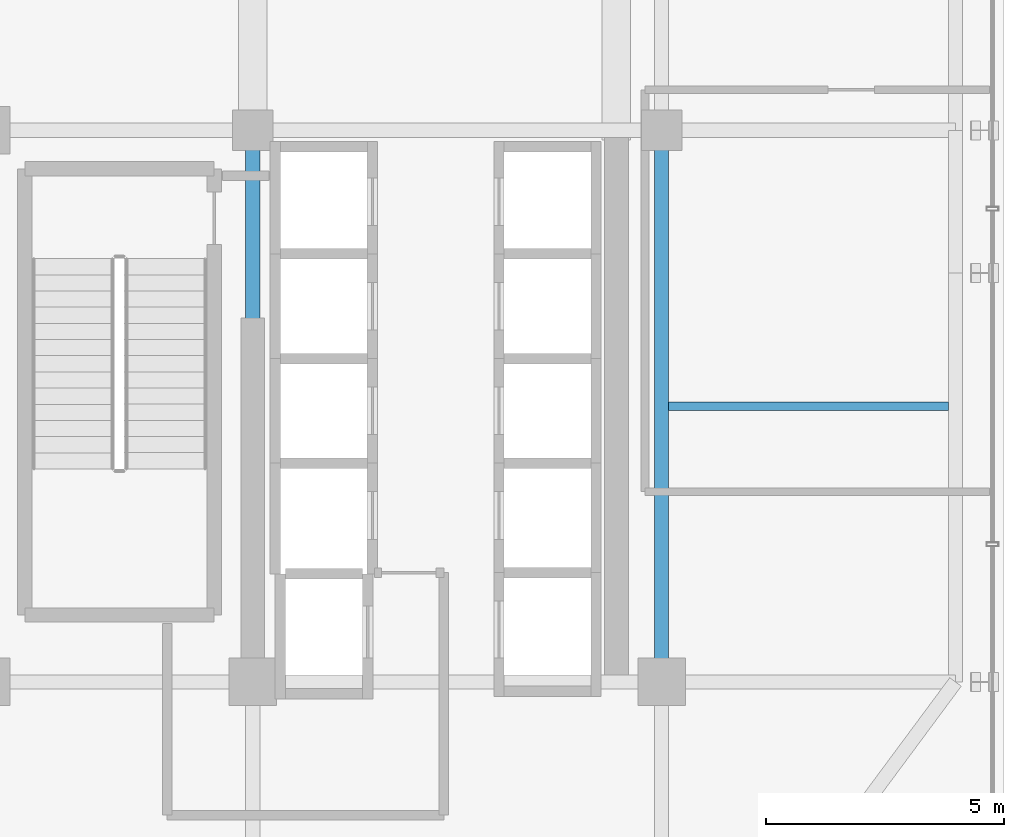
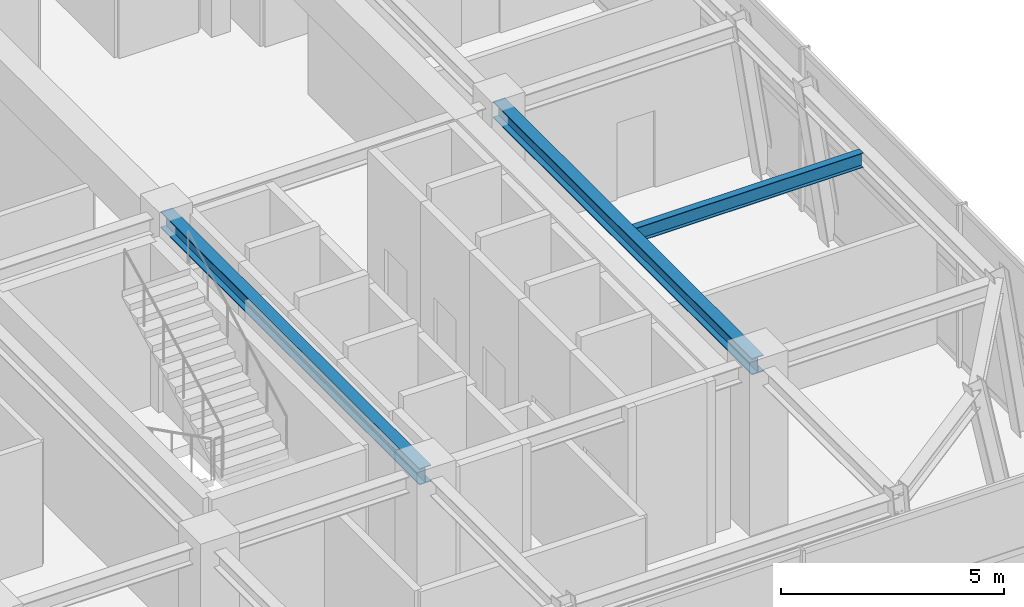
# One storey, part 9 of 28: 3 beams.
"""IFC4 building model written with IfcOpenShell, lengths in metres."""

import ifcopenshell
import ifcopenshell.guid

model = None  # the IFC model being written
_history = None  # IfcOwnerHistory: only IFC2X3 demands one
_inside = {}  # id of a spatial element -> (the spatial element, [elements in it])
_under = {}  # id of a project, library or spatial element -> (it, [spatial elements below it])
_declared = {}  # id of a project -> (the project, [libraries it declares])
_typed = {}  # id of a type object -> (the type object, [elements of that type])
_made_of = {}  # id of a material, layer set ... -> (it, [elements and type objects made of it])


def new_model(schema):
    """Start an empty IFC model of exactly this schema.

    Asked for "IFC4X3", IfcOpenShell would pick the latest addendum, in which some entities
    have other attributes; the version numbers below select the first issue.
    IFC2X3 requires an IfcOwnerHistory on every rooted entity: one is made here for all.
    """
    global model, _history
    if schema == "IFC4X3":
        model = ifcopenshell.file(schema_version=(4, 3, 0, 0))
    else:
        model = ifcopenshell.file(schema=schema)
    _inside.clear()
    _under.clear()
    _declared.clear()
    _typed.clear()
    _made_of.clear()
    _history = None
    if model.schema == "IFC2X3":
        org = make("IfcOrganization", Name="unknown")
        user = make(
            "IfcPersonAndOrganization",
            ThePerson=make("IfcPerson", FamilyName="unknown"),
            TheOrganization=org,
        )
        app = make(
            "IfcApplication",
            ApplicationDeveloper=org,
            Version="unknown",
            ApplicationFullName="unknown",
            ApplicationIdentifier="unknown",
        )
        _history = make(
            "IfcOwnerHistory",
            OwningUser=user,
            OwningApplication=app,
            ChangeAction="ADDED",
            CreationDate=0,
        )
    return model


def make(cls, **values):
    """One entity of the class cls with the attributes given. An attribute that is None is left unset."""
    return model.create_entity(
        cls, **{name: value for name, value in values.items() if value is not None}
    )


def rooted(cls, **values):
    """An entity with a GlobalId (a new one), such as an element, a storey or a relation."""
    return make(cls, GlobalId=ifcopenshell.guid.new(), OwnerHistory=_history, **values)


def si_unit(unit_type, name, prefix=None):
    """IfcSIUnit, for example si_unit("LENGTHUNIT", "METRE", prefix="MILLI")."""
    return make("IfcSIUnit", UnitType=unit_type, Prefix=prefix, Name=name)


def assignment(units):
    """IfcUnitAssignment: the units of a project."""
    return None if units is None else make("IfcUnitAssignment", Units=units)


def point(xyz):
    """IfcCartesianPoint."""
    return None if xyz is None else make("IfcCartesianPoint", Coordinates=xyz)


def direction(xyz):
    """IfcDirection."""
    return None if xyz is None else make("IfcDirection", DirectionRatios=xyz)


def frame(location, z_axis=None, x_axis=None):
    """IfcAxis2Placement3D, a coordinate frame: its origin and axes. An axis left out is left unset."""
    return make(
        "IfcAxis2Placement3D",
        Location=point(location),
        Axis=direction(z_axis),
        RefDirection=direction(x_axis),
    )


def frame_2d(location, x_axis=None):
    """IfcAxis2Placement2D, a coordinate frame in the plane: its origin and x axis."""
    return make(
        "IfcAxis2Placement2D", Location=point(location), RefDirection=direction(x_axis)
    )


def origin():
    """The frame at (0, 0, 0) with its axes left unset."""
    return frame((0.0, 0.0, 0.0))


def origin_2d():
    """The frame at (0, 0) in the plane with its x axis left unset."""
    return frame_2d((0.0, 0.0))


def place(relative_to, where):
    """IfcLocalPlacement: puts the frame where relative to a parent placement (None: the world)."""
    return make(
        "IfcLocalPlacement", PlacementRelTo=relative_to, RelativePlacement=where
    )


def context(
    kind, dimensions, precision=None, world=None, true_north=None, identifier=None
):
    """IfcGeometricRepresentationContext, for example the 3D "Model" context."""
    return make(
        "IfcGeometricRepresentationContext",
        ContextIdentifier=identifier,
        ContextType=kind,
        CoordinateSpaceDimension=dimensions,
        Precision=precision,
        WorldCoordinateSystem=world,
        TrueNorth=true_north,
    )


def subcontext(parent, identifier, kind, view, scale=None):
    """IfcGeometricRepresentationSubContext, for example "Body" below "Model"."""
    return make(
        "IfcGeometricRepresentationSubContext",
        ContextIdentifier=identifier,
        ContextType=kind,
        ParentContext=parent,
        TargetScale=scale,
        TargetView=view,
    )


def project(units=None, contexts=None):
    """IfcProject with its units and contexts."""
    return rooted(
        "IfcProject",
        Name="project",
        RepresentationContexts=contexts,
        UnitsInContext=assignment(units),
    )


def spatial(cls, under=None, at=None, **own):
    """A site, building, storey or space (cls), placed at a placement, below another one or the project."""
    s = rooted(cls, ObjectPlacement=at, **own)
    if under is not None:
        _under.setdefault(under.id(), (under, []))[1].append(s)
    return s


def profile(cls, at=None, kind="AREA", **sizes):
    """A parametric profile (cls). Its sizes go by their IFC names, for example OverallWidth=200.0."""
    return make(cls, ProfileType=kind, Position=at, **sizes)


def i_section(**sizes):
    """IfcIShapeProfileDef."""
    return profile("IfcIShapeProfileDef", **sizes)


def extrude(swept, where, along, depth):
    """IfcExtrudedAreaSolid: the profile swept, set in the frame where, extruded along a direction by depth."""
    return make(
        "IfcExtrudedAreaSolid",
        SweptArea=swept,
        Position=where,
        ExtrudedDirection=direction(along),
        Depth=depth,
    )


def shape(context_of_items, identifier, shape_type, items):
    """IfcShapeRepresentation: the items that make up one representation, for example the "Body"."""
    return make(
        "IfcShapeRepresentation",
        ContextOfItems=context_of_items,
        RepresentationIdentifier=identifier,
        RepresentationType=shape_type,
        Items=items,
    )


def source(mapping_origin, context_of_items, identifier, shape_type, items):
    """IfcRepresentationMap: a shape defined once, which mapped items show again and again."""
    return make(
        "IfcRepresentationMap",
        MappingOrigin=mapping_origin,
        MappedRepresentation=shape(context_of_items, identifier, shape_type, items),
    )


def transform(
    local_origin,
    x_axis=None,
    y_axis=None,
    z_axis=None,
    scale=None,
    scale2=None,
    scale3=None,
    uniform=True,
):
    """IfcCartesianTransformationOperator3D, or its non-uniform kind. x_axis, y_axis, z_axis: its Axis1, 2, 3."""
    if uniform:
        return make(
            "IfcCartesianTransformationOperator3D",
            Axis1=direction(x_axis),
            Axis2=direction(y_axis),
            LocalOrigin=point(local_origin),
            Scale=scale,
            Axis3=direction(z_axis),
        )
    return make(
        "IfcCartesianTransformationOperator3DnonUniform",
        Axis1=direction(x_axis),
        Axis2=direction(y_axis),
        LocalOrigin=point(local_origin),
        Scale=scale,
        Axis3=direction(z_axis),
        Scale2=scale2,
        Scale3=scale3,
    )


def mapped(mapping_source, mapping_target):
    """IfcMappedItem: shows the shape of a source again, moved by a transform."""
    return make(
        "IfcMappedItem", MappingSource=mapping_source, MappingTarget=mapping_target
    )


def material(Name=None, Category=None):
    """IfcMaterial."""
    return make("IfcMaterial", Name=Name, Category=Category)


def material_profile(
    of_material, cross_section, Name=None, Category=None, Priority=None
):
    """IfcMaterialProfile: a cross section and its material."""
    return make(
        "IfcMaterialProfile",
        Name=Name,
        Material=of_material,
        Profile=cross_section,
        Priority=Priority,
        Category=Category,
    )


def profile_set(profiles, Name=None, composite=None):
    """IfcMaterialProfileSet."""
    return make(
        "IfcMaterialProfileSet",
        Name=Name,
        MaterialProfiles=profiles,
        CompositeProfile=composite,
    )


def made_of(thing, what):
    """Note that an element or type object is made of a material, layer set ...; save() writes the relation."""
    if what is not None:
        _made_of.setdefault(what.id(), (what, []))[1].append(thing)
    return thing


def type_object(cls, material=None, **own):
    """A type object (cls), such as IfcWallType, which elements share."""
    return made_of(rooted(cls, **own), material)


def element(
    cls,
    number,
    at=None,
    inside=None,
    cuts=None,
    type_object=None,
    material=None,
    context=None,
    identifier="Body",
    shape_type=None,
    held_by="IfcProductDefinitionShape",
    body=None,
    shapes=None,
    **own,
):
    """One element of the class cls, such as IfcWall. Its Tag is "e" and its number.

    at: its placement. inside: the storey or other place that contains it. cuts: it is an
    opening in that element (IfcRelVoidsElement). A single representation is given by context,
    identifier, shape_type and body (its items); several are given by shapes. held_by: the class
    of the entity that holds the representations. save() writes the other relations.
    """
    e = rooted(cls, Tag="e%d" % number, ObjectPlacement=at, **own)
    if body is not None:
        shapes = [shape(context, identifier, shape_type, body)]
    if shapes is not None:
        e.Representation = make(held_by, Representations=shapes)
    if inside is not None:
        _inside.setdefault(inside.id(), (inside, []))[1].append(e)
    if cuts is not None:
        rooted(
            "IfcRelVoidsElement", RelatingBuildingElement=cuts, RelatedOpeningElement=e
        )
    if type_object is not None:
        _typed.setdefault(type_object.id(), (type_object, []))[1].append(e)
    return made_of(e, material)


def aggregate(whole, parts):
    """IfcRelAggregates: a whole, such as a stair, and the parts it consists of."""
    return rooted("IfcRelAggregates", RelatingObject=whole, RelatedObjects=parts)


def save(model, path):
    """Write the relations noted so far, then the file.

    IfcRelAggregates (storeys below a building ...), IfcRelContainedInSpatialStructure (elements
    in a storey), IfcRelDefinesByType, IfcRelAssociatesMaterial and IfcRelDeclares: one each for
    every whole, place, type object, material and project.
    """
    for whole, parts in _under.values():
        aggregate(whole, parts)
    for where, things in _inside.values():
        rooted(
            "IfcRelContainedInSpatialStructure",
            RelatedElements=things,
            RelatingStructure=where,
        )
    for kind, things in _typed.values():
        rooted("IfcRelDefinesByType", RelatedObjects=things, RelatingType=kind)
    for what, things in _made_of.values():
        rooted("IfcRelAssociatesMaterial", RelatedObjects=things, RelatingMaterial=what)
    for by, libraries in _declared.values():
        rooted("IfcRelDeclares", RelatingContext=by, RelatedDefinitions=libraries)
    model.write(path)


model = new_model("IFC4")

# Units and contexts
model_context = context("Model", 3, precision=1e-05, world=origin(), true_north=direction((0.0, 1.0)))
body_context = subcontext(model_context, "Body", "Model", "MODEL_VIEW")
ifc_project = project(units=[si_unit("LENGTHUNIT", "METRE"), si_unit("AREAUNIT", "SQUARE_METRE"), si_unit("VOLUMEUNIT", "CUBIC_METRE"), si_unit("PLANEANGLEUNIT", "RADIAN"), si_unit("MASSUNIT", "GRAM", prefix="KILO")], contexts=[model_context])

# Site, building, storey
site_placement = place(None, origin())
site = spatial("IfcSite", under=ifc_project, at=site_placement, CompositionType="ELEMENT")
building_placement = place(site_placement, origin())
building = spatial("IfcBuilding", under=site, at=building_placement, Name="Nahalor Promenade Grand Hotel", CompositionType="ELEMENT")
storey_placement = place(building_placement, frame((0.0, 0.0, 256.699951171875)))
storey = spatial("IfcBuildingStorey", under=building, at=storey_placement, Name="L66", CompositionType="ELEMENT", Elevation=256.699951171875)

# Beams
ifc_material = material(Name="Steel S355JR", Category="steel")
ifc_material_profile_1 = material_profile(ifc_material, i_section(OverallWidth=0.3, OverallDepth=0.45, WebThickness=0.014, FlangeThickness=0.026, at=origin_2d()), Name="HEB 450")
ifc_profile_set_1 = profile_set([ifc_material_profile_1], Name="Steel S355JR")
beam_type_1 = type_object("IfcBeamType", Name="Beam-Girder-HEB450", PredefinedType="BEAM", material=ifc_profile_set_1)
shared_shape_1 = source(origin(), body_context, "Body", "SweptSolid", [
    extrude(i_section(OverallWidth=0.3, OverallDepth=0.45, WebThickness=0.014, FlangeThickness=0.026, at=origin_2d()), origin(), (0.0, 0.0, 1.0), 11.60009765625),
])
for number, where, z_axis, x_axis, name in (
    (1, (8.39990234375, -17.0, 4.215087890625), (0.0, 1.0, 0.0), (-1.0, 0.0, 0.0), "BM-L66-GY-4-1"),
    (2, (17.0, -17.0, 4.215087890625), (0.0, 1.0, 0.0), (-1.0, 0.0, 0.0), "BM-L66-GY-5-1"),
):
    element("IfcBeam", number, at=place(storey_placement, frame(where, z_axis=z_axis, x_axis=x_axis)), inside=storey, type_object=beam_type_1, Name=name, PredefinedType="BEAM", context=body_context, shape_type="MappedRepresentation", body=[
        mapped(shared_shape_1, transform((0.0, 0.0, 0.0), scale=1.0)),
    ])
ifc_material_profile_2 = material_profile(ifc_material, i_section(OverallWidth=0.18, OverallDepth=0.4, WebThickness=0.0086, FlangeThickness=0.0135, at=origin_2d()), Name="IPE 400")
ifc_profile_set_2 = profile_set([ifc_material_profile_2], Name="Steel S355JR")
beam_type_2 = type_object("IfcBeamType", Name="Beam-Joist-IPE400", PredefinedType="JOIST", material=ifc_profile_set_2)
shared_shape_2 = source(origin(), body_context, "Body", "SweptSolid", [
    extrude(i_section(OverallWidth=0.18, OverallDepth=0.4, WebThickness=0.0086, FlangeThickness=0.0135, at=origin_2d()), origin(), (0.0, 0.0, 1.0), 5.880126953125),
])
beam_placement = place(storey_placement, frame((17.14990234375, -11.199951171875, 4.239990234375), z_axis=(1.0, 0.0, 0.0), x_axis=(0.0, 1.0, 0.0)))
element("IfcBeam", 3, at=beam_placement, inside=storey, type_object=beam_type_2, Name="BM-L66-JSE-0-2", PredefinedType="JOIST", context=body_context, shape_type="MappedRepresentation", body=[
    mapped(shared_shape_2, transform((0.0, 0.0, 0.0), scale=1.0)),
])

save(model, "model.ifc")
